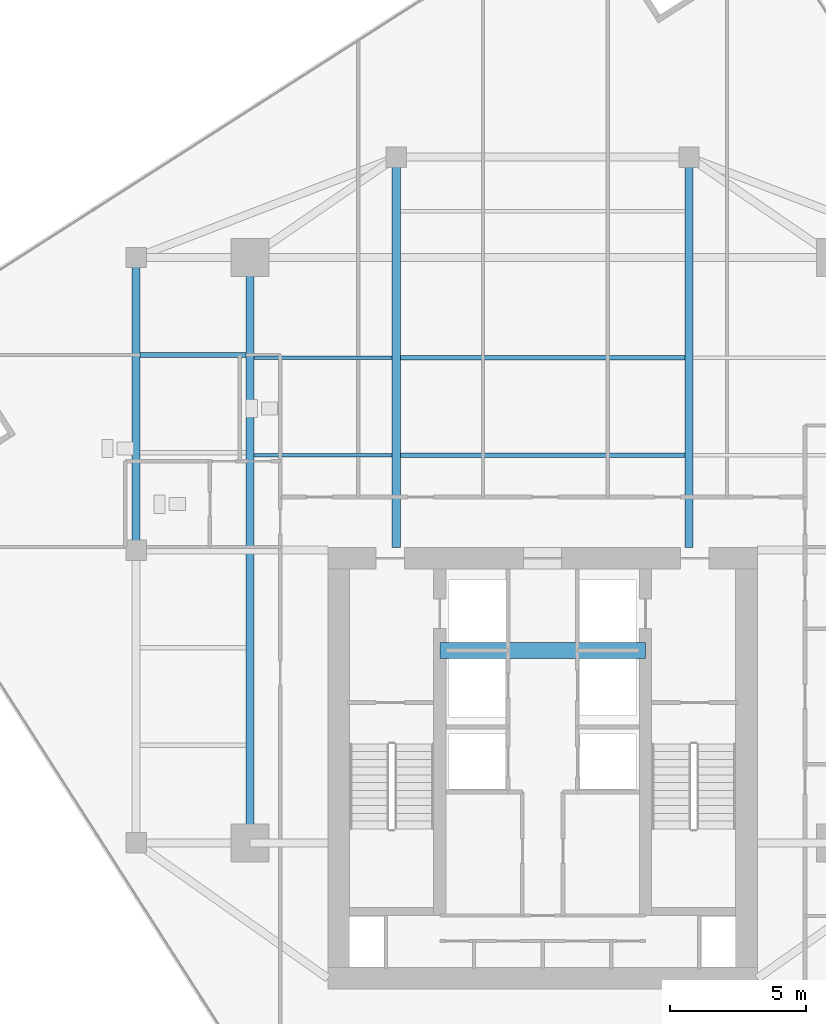
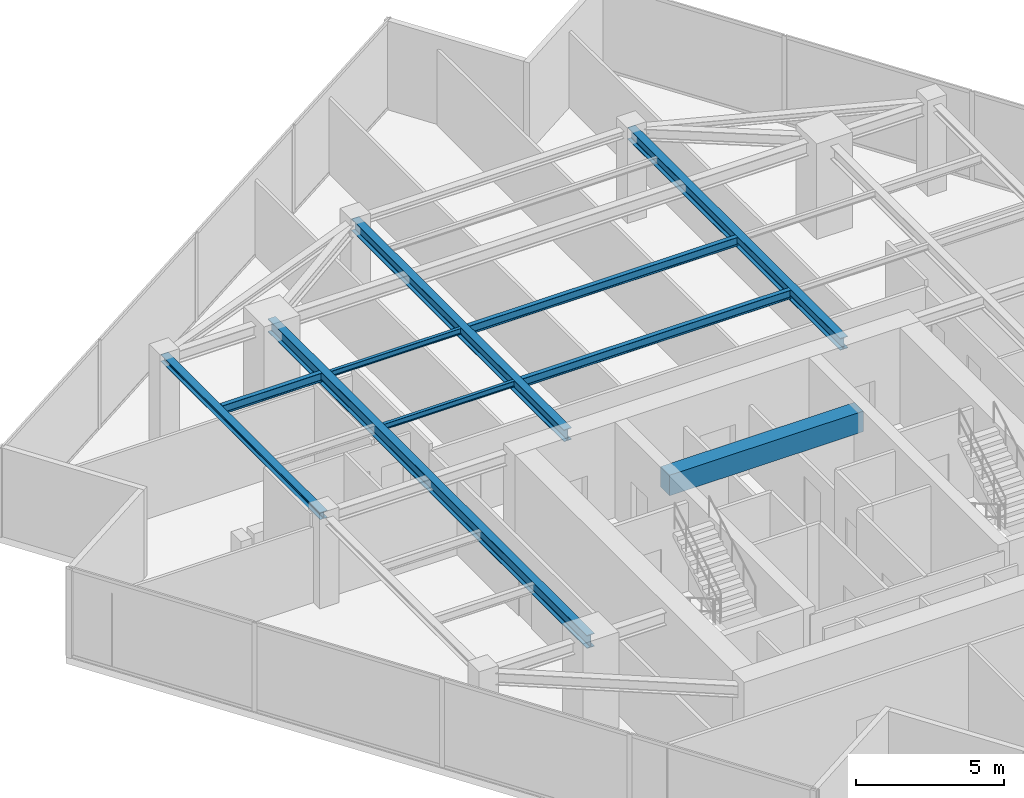
# One storey, part 7 of 20: 10 beams.
"""IFC4 building model written with IfcOpenShell, lengths in metres."""

from ifc_helpers import new_model, si_unit, direction, frame, origin, origin_2d, place, context, subcontext, project, spatial, rectangle, i_section, extrude, source, transform, mapped, material, material_profile, profile_set, type_object, type_shapes, element, save


model = new_model("IFC4")

# Units and contexts
model_context = context("Model", 3, precision=1e-05, world=origin(), true_north=direction((0.0, 1.0)))
body_context = subcontext(model_context, "Body", "Model", "MODEL_VIEW")
ifc_project = project(units=[si_unit("LENGTHUNIT", "METRE"), si_unit("AREAUNIT", "SQUARE_METRE"), si_unit("VOLUMEUNIT", "CUBIC_METRE"), si_unit("PLANEANGLEUNIT", "RADIAN"), si_unit("MASSUNIT", "GRAM", prefix="KILO")], contexts=[model_context])

# Site, building, storey
site_placement = place(None, origin())
site = spatial("IfcSite", under=ifc_project, at=site_placement, CompositionType="ELEMENT")
building_placement = place(site_placement, origin())
building = spatial("IfcBuilding", under=site, at=building_placement, Name="Krantzveldt Concourse Tower", CompositionType="ELEMENT")
storey_placement = place(building_placement, frame((0.0, 0.0, 283.199951171875)))
storey = spatial("IfcBuildingStorey", under=building, at=storey_placement, Name="L69", CompositionType="ELEMENT", Elevation=283.199951171875)

# Beams
ifc_material_1 = material(Name="Steel S355JR", Category="steel")
ifc_material_profile_1 = material_profile(ifc_material_1, i_section(OverallWidth=0.169921875, OverallDepth=0.360107421875, WebThickness=0.008056640625, FlangeThickness=0.0126953125, FilletRadius=0.01806640625, at=origin_2d()), Name="Steel S355JR", Category="steel")
ifc_profile_set_1 = profile_set([ifc_material_profile_1], Name="Steel S355JR - IPE 360")
beam_type_1 = type_object("IfcBeamType", Name="BM-J-IPE360", PredefinedType="JOIST", material=ifc_profile_set_1)
shared_shape_1 = source(origin(), body_context, "Body", "SweptSolid", [
    extrude(i_section(OverallWidth=0.169921875, OverallDepth=0.360107421875, WebThickness=0.008056640625, FlangeThickness=0.0126953125, FilletRadius=0.01806640625, at=origin_2d()), origin(), (0.0, 0.0, 1.0), 10.5),
])
for number, where, z_axis, x_axis, name in (
    (1, (30.75, 30.199951171875, 3.489990234375), (1.0, 0.0, 0.0), (0.0, 1.0, 0.0), "L69 Secondary Floor Joist JN-C1"),
    (2, (30.75, 33.800048828125, 3.489990234375), (1.0, 0.0, 0.0), (0.0, 1.0, 0.0), "L69 Secondary Floor Joist JN-C2"),
):
    element("IfcBeam", number, at=place(storey_placement, frame(where, z_axis=z_axis, x_axis=x_axis)), inside=storey, type_object=beam_type_1, Name=name, PredefinedType="JOIST", context=body_context, shape_type="MappedRepresentation", body=[
        mapped(shared_shape_1, transform((0.0, 0.0, 0.0), x_axis=(1.0, 0.0, 0.0), y_axis=(0.0, 1.0, 0.0), z_axis=(0.0, 0.0, 1.0), scale=1.0)),
    ])
ifc_material_profile_2 = material_profile(ifc_material_1, i_section(OverallWidth=0.300048828125, OverallDepth=0.489990234375, WebThickness=0.011962890625, FlangeThickness=0.02294921875, FilletRadius=0.027099609375, at=origin_2d()), Name="Steel S355JR", Category="steel")
ifc_profile_set_2 = profile_set([ifc_material_profile_2], Name="Steel S355JR - HEA 500")
beam_type_2 = type_object("IfcBeamType", Name="BM-B-HEA500", PredefinedType="BEAM", material=ifc_profile_set_2)
shared_shape_2 = source(origin(), body_context, "Body", "SweptSolid", [
    extrude(i_section(OverallWidth=0.300048828125, OverallDepth=0.489990234375, WebThickness=0.011962890625, FlangeThickness=0.02294921875, FilletRadius=0.027099609375, at=origin_2d()), origin(), (0.0, 0.0, 1.0), 14.39990234375),
])
type_shapes(beam_type_2, [shared_shape_2])
for number, where, z_axis, x_axis, name in (
    (3, (30.60009765625, 26.800048828125, 3.425048828125), (0.0, 1.0, 0.0), (-1.0, 0.0, 0.0), "L69 Tower Girder BG-CNW"),
    (4, (41.39990234375, 26.800048828125, 3.425048828125), (0.0, 1.0, 0.0), (-1.0, 0.0, 0.0), "L69 Tower Girder BG-CNE"),
):
    element("IfcBeam", number, at=place(storey_placement, frame(where, z_axis=z_axis, x_axis=x_axis)), inside=storey, type_object=beam_type_2, Name=name, PredefinedType="BEAM", context=body_context, shape_type="MappedRepresentation", body=[
        mapped(shared_shape_2, transform((0.0, 0.0, 0.0), x_axis=(1.0, 0.0, 0.0), y_axis=(0.0, 1.0, 0.0), z_axis=(0.0, 0.0, 1.0), scale=1.0)),
    ])
ifc_material_2 = material(Name="Concrete C50/60", Category="concrete")
ifc_material_profile_3 = material_profile(ifc_material_2, rectangle(XDim=0.60009765625, YDim=0.85009765625, at=origin_2d()), Name="Concrete C50/60", Category="concrete")
ifc_profile_set_3 = profile_set([ifc_material_profile_3], Name="Concrete C50/60 - RC-CB 600x850")
beam_type_3 = type_object("IfcBeamType", Name="BM-CB-850", PredefinedType="LINTEL", material=ifc_profile_set_3)
shared_shape_3 = source(origin(), body_context, "Body", "SweptSolid", [
    extrude(rectangle(XDim=0.60009765625, YDim=0.85009765625, at=origin_2d()), origin(), (0.0, 0.0, 1.0), 7.580078125),
])
type_shapes(beam_type_3, [shared_shape_3])
beam_1_placement = place(storey_placement, frame((32.2099609375, 23.0, 3.2451171875), z_axis=(1.0, 0.0, 0.0), x_axis=(0.0, 1.0, 0.0)))
element("IfcBeam", 5, at=beam_1_placement, inside=storey, type_object=beam_type_3, Name="CB-L69-01", PredefinedType="LINTEL", context=body_context, shape_type="MappedRepresentation", body=[
    mapped(shared_shape_3, transform((0.0, 0.0, 0.0), x_axis=(1.0, 0.0, 0.0), y_axis=(0.0, 1.0, 0.0), z_axis=(0.0, 0.0, 1.0), scale=1.0)),
])
ifc_material_profile_4 = material_profile(ifc_material_1, i_section(OverallWidth=0.300048828125, OverallDepth=0.5400390625, WebThickness=0.012451171875, FlangeThickness=0.02392578125, FilletRadius=0.027099609375, at=origin_2d()), Name="Steel S355JR", Category="steel")
ifc_profile_set_4 = profile_set([ifc_material_profile_4], Name="Steel S355JR - HEA 550")
beam_type_4 = type_object("IfcBeamType", Name="BM-B-HEA550", PredefinedType="BEAM", material=ifc_profile_set_4)
shared_shape_4 = source(origin(), body_context, "Body", "SweptSolid", [
    extrude(i_section(OverallWidth=0.300048828125, OverallDepth=0.5400390625, WebThickness=0.012451171875, FlangeThickness=0.02392578125, FilletRadius=0.027099609375, at=origin_2d()), origin(), (0.0, 0.0, 1.0), 21.60009765625),
])
type_shapes(beam_type_4, [shared_shape_4])
beam_2_placement = place(storey_placement, frame((25.199951171875, 15.89990234375, 3.400146484375), z_axis=(0.0, 1.0, 0.0), x_axis=(-1.0, 0.0, 0.0)))
element("IfcBeam", 6, at=beam_2_placement, inside=storey, type_object=beam_type_4, Name="L69 Tower Girder BG-MW", PredefinedType="BEAM", context=body_context, shape_type="MappedRepresentation", body=[
    mapped(shared_shape_4, transform((0.0, 0.0, 0.0), x_axis=(1.0, 0.0, 0.0), y_axis=(0.0, 1.0, 0.0), z_axis=(0.0, 0.0, 1.0), scale=1.0)),
])
ifc_material_profile_5 = material_profile(ifc_material_1, i_section(OverallWidth=0.2900390625, OverallDepth=0.2900390625, WebThickness=0.008544921875, FlangeThickness=0.013916015625, FilletRadius=0.027099609375, at=origin_2d()), Name="Steel S355JR", Category="steel")
ifc_profile_set_5 = profile_set([ifc_material_profile_5], Name="Steel S355JR - HEA 300")
beam_type_5 = type_object("IfcBeamType", Name="BM-SP-HEA300", PredefinedType="SPANDREL", material=ifc_profile_set_5)
shared_shape_5 = source(origin(), body_context, "Body", "SweptSolid", [
    extrude(i_section(OverallWidth=0.2900390625, OverallDepth=0.2900390625, WebThickness=0.008544921875, FlangeThickness=0.013916015625, FilletRadius=0.027099609375, at=origin_2d()), origin(), (0.0, 0.0, 1.0), 10.800048828125),
])
type_shapes(beam_type_5, [shared_shape_5])
beam_3_placement = place(storey_placement, frame((21.0, 26.699951171875, 3.525146484375), z_axis=(0.0, 1.0, 0.0), x_axis=(-1.0, 0.0, 0.0)))
element("IfcBeam", 7, at=beam_3_placement, inside=storey, type_object=beam_type_5, Name="L69 Tower Girder SP-R02", PredefinedType="SPANDREL", context=body_context, shape_type="MappedRepresentation", body=[
    mapped(shared_shape_5, transform((0.0, 0.0, 0.0), x_axis=(1.0, 0.0, 0.0), y_axis=(0.0, 1.0, 0.0), z_axis=(0.0, 0.0, 1.0), scale=1.0)),
])
ifc_material_profile_6 = material_profile(ifc_material_1, i_section(OverallWidth=0.1201171875, OverallDepth=0.239990234375, WebThickness=0.006103515625, FlangeThickness=0.009765625, FilletRadius=0.014892578125, at=origin_2d()), Name="Steel S355JR", Category="steel")
ifc_profile_set_6 = profile_set([ifc_material_profile_6], Name="Steel S355JR - IPE 240")
beam_type_6 = type_object("IfcBeamType", Name="BM-LN-IPE240", PredefinedType="LINTEL", material=ifc_profile_set_6)
shared_shape_6 = source(origin(), body_context, "Body", "SweptSolid", [
    extrude(i_section(OverallWidth=0.1201171875, OverallDepth=0.239990234375, WebThickness=0.006103515625, FlangeThickness=0.009765625, FilletRadius=0.014892578125, at=origin_2d()), origin(), (0.0, 0.0, 1.0), 5.099853515625),
])
type_shapes(beam_type_6, [shared_shape_6])
for number, where, z_axis, x_axis, name in (
    (8, (25.35009765625, 30.199951171875, 3.550048828125), (1.0, 0.0, 0.0), (0.0, 1.0, 0.0), "L69 Secondary Floor Joist JN-W1"),
    (9, (25.35009765625, 33.800048828125, 3.550048828125), (1.0, 0.0, 0.0), (0.0, 1.0, 0.0), "L69 Secondary Floor Joist JN-W2"),
):
    element("IfcBeam", number, at=place(storey_placement, frame(where, z_axis=z_axis, x_axis=x_axis)), inside=storey, type_object=beam_type_6, Name=name, PredefinedType="LINTEL", context=body_context, shape_type="MappedRepresentation", body=[
        mapped(shared_shape_6, transform((0.0, 0.0, 0.0), x_axis=(1.0, 0.0, 0.0), y_axis=(0.0, 1.0, 0.0), z_axis=(0.0, 0.0, 1.0), scale=1.0)),
    ])
shared_shape_7 = source(origin(), body_context, "Body", "SweptSolid", [
    extrude(i_section(OverallWidth=0.169921875, OverallDepth=0.360107421875, WebThickness=0.008056640625, FlangeThickness=0.0126953125, FilletRadius=0.01806640625, at=origin_2d()), origin(), (0.0, 0.0, 1.0), 3.900146484375),
])
type_shapes(beam_type_1, [shared_shape_1, shared_shape_7])
beam_4_placement = place(storey_placement, frame((21.14990234375, 33.89990234375, 3.489990234375), z_axis=(1.0, 0.0, 0.0), x_axis=(0.0, 1.0, 0.0)))
element("IfcBeam", 10, at=beam_4_placement, inside=storey, type_object=beam_type_1, Name="L69 Secondary Floor Joist JW-4", PredefinedType="JOIST", context=body_context, shape_type="MappedRepresentation", body=[
    mapped(shared_shape_7, transform((0.0, 0.0, 0.0), x_axis=(1.0, 0.0, 0.0), y_axis=(0.0, 1.0, 0.0), z_axis=(0.0, 0.0, 1.0), scale=1.0)),
])

save(model, "model.ifc")
